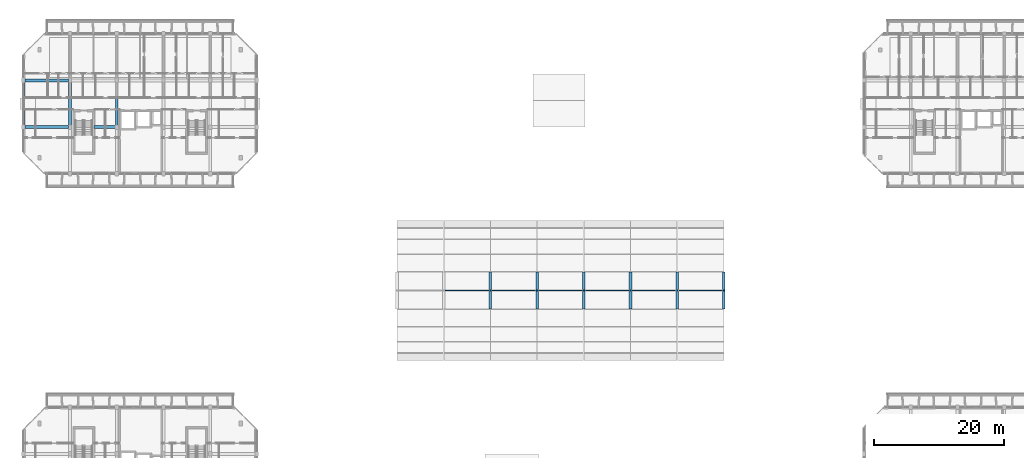
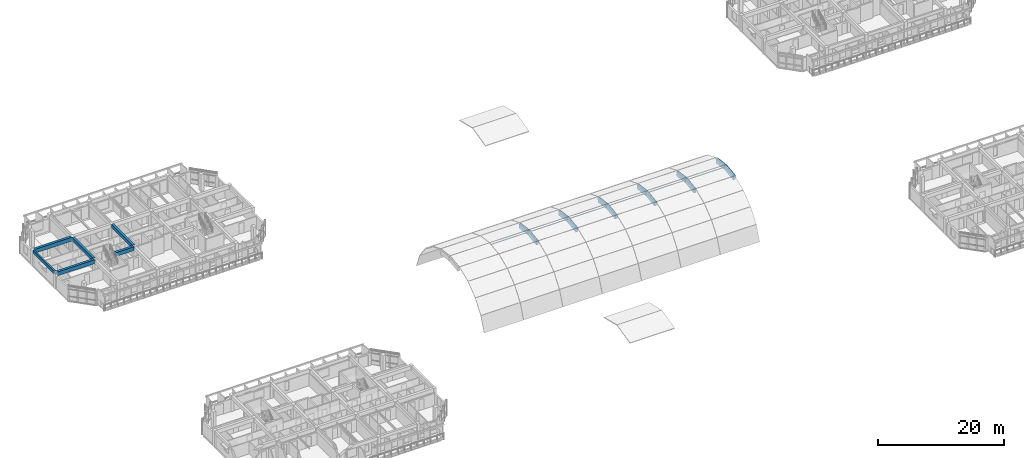
# One storey, part 6 of 51: 18 beams, 6 members.
"""IFC4 building model written with IfcOpenShell, lengths in metres."""

import ifcopenshell
import ifcopenshell.guid

model = None  # the IFC model being written
_history = None  # IfcOwnerHistory: only IFC2X3 demands one
_inside = {}  # id of a spatial element -> (the spatial element, [elements in it])
_under = {}  # id of a project, library or spatial element -> (it, [spatial elements below it])
_declared = {}  # id of a project -> (the project, [libraries it declares])
_typed = {}  # id of a type object -> (the type object, [elements of that type])
_made_of = {}  # id of a material, layer set ... -> (it, [elements and type objects made of it])


def new_model(schema):
    """Start an empty IFC model of exactly this schema.

    Asked for "IFC4X3", IfcOpenShell would pick the latest addendum, in which some entities
    have other attributes; the version numbers below select the first issue.
    IFC2X3 requires an IfcOwnerHistory on every rooted entity: one is made here for all.
    """
    global model, _history
    if schema == "IFC4X3":
        model = ifcopenshell.file(schema_version=(4, 3, 0, 0))
    else:
        model = ifcopenshell.file(schema=schema)
    _inside.clear()
    _under.clear()
    _declared.clear()
    _typed.clear()
    _made_of.clear()
    _history = None
    if model.schema == "IFC2X3":
        org = make("IfcOrganization", Name="unknown")
        user = make(
            "IfcPersonAndOrganization",
            ThePerson=make("IfcPerson", FamilyName="unknown"),
            TheOrganization=org,
        )
        app = make(
            "IfcApplication",
            ApplicationDeveloper=org,
            Version="unknown",
            ApplicationFullName="unknown",
            ApplicationIdentifier="unknown",
        )
        _history = make(
            "IfcOwnerHistory",
            OwningUser=user,
            OwningApplication=app,
            ChangeAction="ADDED",
            CreationDate=0,
        )
    return model


def make(cls, **values):
    """One entity of the class cls with the attributes given. An attribute that is None is left unset."""
    return model.create_entity(
        cls, **{name: value for name, value in values.items() if value is not None}
    )


def rooted(cls, **values):
    """An entity with a GlobalId (a new one), such as an element, a storey or a relation."""
    return make(cls, GlobalId=ifcopenshell.guid.new(), OwnerHistory=_history, **values)


def si_unit(unit_type, name, prefix=None):
    """IfcSIUnit, for example si_unit("LENGTHUNIT", "METRE", prefix="MILLI")."""
    return make("IfcSIUnit", UnitType=unit_type, Prefix=prefix, Name=name)


def assignment(units):
    """IfcUnitAssignment: the units of a project."""
    return None if units is None else make("IfcUnitAssignment", Units=units)


def point(xyz):
    """IfcCartesianPoint."""
    return None if xyz is None else make("IfcCartesianPoint", Coordinates=xyz)


def direction(xyz):
    """IfcDirection."""
    return None if xyz is None else make("IfcDirection", DirectionRatios=xyz)


def frame(location, z_axis=None, x_axis=None):
    """IfcAxis2Placement3D, a coordinate frame: its origin and axes. An axis left out is left unset."""
    return make(
        "IfcAxis2Placement3D",
        Location=point(location),
        Axis=direction(z_axis),
        RefDirection=direction(x_axis),
    )


def frame_2d(location, x_axis=None):
    """IfcAxis2Placement2D, a coordinate frame in the plane: its origin and x axis."""
    return make(
        "IfcAxis2Placement2D", Location=point(location), RefDirection=direction(x_axis)
    )


def origin():
    """The frame at (0, 0, 0) with its axes left unset."""
    return frame((0.0, 0.0, 0.0))


def origin_2d():
    """The frame at (0, 0) in the plane with its x axis left unset."""
    return frame_2d((0.0, 0.0))


def place(relative_to, where):
    """IfcLocalPlacement: puts the frame where relative to a parent placement (None: the world)."""
    return make(
        "IfcLocalPlacement", PlacementRelTo=relative_to, RelativePlacement=where
    )


def context(
    kind, dimensions, precision=None, world=None, true_north=None, identifier=None
):
    """IfcGeometricRepresentationContext, for example the 3D "Model" context."""
    return make(
        "IfcGeometricRepresentationContext",
        ContextIdentifier=identifier,
        ContextType=kind,
        CoordinateSpaceDimension=dimensions,
        Precision=precision,
        WorldCoordinateSystem=world,
        TrueNorth=true_north,
    )


def subcontext(parent, identifier, kind, view, scale=None):
    """IfcGeometricRepresentationSubContext, for example "Body" below "Model"."""
    return make(
        "IfcGeometricRepresentationSubContext",
        ContextIdentifier=identifier,
        ContextType=kind,
        ParentContext=parent,
        TargetScale=scale,
        TargetView=view,
    )


def project(units=None, contexts=None):
    """IfcProject with its units and contexts."""
    return rooted(
        "IfcProject",
        Name="project",
        RepresentationContexts=contexts,
        UnitsInContext=assignment(units),
    )


def spatial(cls, under=None, at=None, **own):
    """A site, building, storey or space (cls), placed at a placement, below another one or the project."""
    s = rooted(cls, ObjectPlacement=at, **own)
    if under is not None:
        _under.setdefault(under.id(), (under, []))[1].append(s)
    return s


def profile(cls, at=None, kind="AREA", **sizes):
    """A parametric profile (cls). Its sizes go by their IFC names, for example OverallWidth=200.0."""
    return make(cls, ProfileType=kind, Position=at, **sizes)


def rectangle(**sizes):
    """IfcRectangleProfileDef."""
    return profile("IfcRectangleProfileDef", **sizes)


def hollow_rectangle(**sizes):
    """IfcRectangleHollowProfileDef."""
    return profile("IfcRectangleHollowProfileDef", **sizes)


def extrude(swept, where, along, depth):
    """IfcExtrudedAreaSolid: the profile swept, set in the frame where, extruded along a direction by depth."""
    return make(
        "IfcExtrudedAreaSolid",
        SweptArea=swept,
        Position=where,
        ExtrudedDirection=direction(along),
        Depth=depth,
    )


def shape(context_of_items, identifier, shape_type, items):
    """IfcShapeRepresentation: the items that make up one representation, for example the "Body"."""
    return make(
        "IfcShapeRepresentation",
        ContextOfItems=context_of_items,
        RepresentationIdentifier=identifier,
        RepresentationType=shape_type,
        Items=items,
    )


def material(Name=None, Category=None):
    """IfcMaterial."""
    return make("IfcMaterial", Name=Name, Category=Category)


def material_profile(
    of_material, cross_section, Name=None, Category=None, Priority=None
):
    """IfcMaterialProfile: a cross section and its material."""
    return make(
        "IfcMaterialProfile",
        Name=Name,
        Material=of_material,
        Profile=cross_section,
        Priority=Priority,
        Category=Category,
    )


def profile_set(profiles, Name=None, composite=None):
    """IfcMaterialProfileSet."""
    return make(
        "IfcMaterialProfileSet",
        Name=Name,
        MaterialProfiles=profiles,
        CompositeProfile=composite,
    )


def made_of(thing, what):
    """Note that an element or type object is made of a material, layer set ...; save() writes the relation."""
    if what is not None:
        _made_of.setdefault(what.id(), (what, []))[1].append(thing)
    return thing


def type_object(cls, material=None, **own):
    """A type object (cls), such as IfcWallType, which elements share."""
    return made_of(rooted(cls, **own), material)


def element(
    cls,
    number,
    at=None,
    inside=None,
    cuts=None,
    type_object=None,
    material=None,
    context=None,
    identifier="Body",
    shape_type=None,
    held_by="IfcProductDefinitionShape",
    body=None,
    shapes=None,
    **own,
):
    """One element of the class cls, such as IfcWall. Its Tag is "e" and its number.

    at: its placement. inside: the storey or other place that contains it. cuts: it is an
    opening in that element (IfcRelVoidsElement). A single representation is given by context,
    identifier, shape_type and body (its items); several are given by shapes. held_by: the class
    of the entity that holds the representations. save() writes the other relations.
    """
    e = rooted(cls, Tag="e%d" % number, ObjectPlacement=at, **own)
    if body is not None:
        shapes = [shape(context, identifier, shape_type, body)]
    if shapes is not None:
        e.Representation = make(held_by, Representations=shapes)
    if inside is not None:
        _inside.setdefault(inside.id(), (inside, []))[1].append(e)
    if cuts is not None:
        rooted(
            "IfcRelVoidsElement", RelatingBuildingElement=cuts, RelatedOpeningElement=e
        )
    if type_object is not None:
        _typed.setdefault(type_object.id(), (type_object, []))[1].append(e)
    return made_of(e, material)


def aggregate(whole, parts):
    """IfcRelAggregates: a whole, such as a stair, and the parts it consists of."""
    return rooted("IfcRelAggregates", RelatingObject=whole, RelatedObjects=parts)


def save(model, path):
    """Write the relations noted so far, then the file.

    IfcRelAggregates (storeys below a building ...), IfcRelContainedInSpatialStructure (elements
    in a storey), IfcRelDefinesByType, IfcRelAssociatesMaterial and IfcRelDeclares: one each for
    every whole, place, type object, material and project.
    """
    for whole, parts in _under.values():
        aggregate(whole, parts)
    for where, things in _inside.values():
        rooted(
            "IfcRelContainedInSpatialStructure",
            RelatedElements=things,
            RelatingStructure=where,
        )
    for kind, things in _typed.values():
        rooted("IfcRelDefinesByType", RelatedObjects=things, RelatingType=kind)
    for what, things in _made_of.values():
        rooted("IfcRelAssociatesMaterial", RelatedObjects=things, RelatingMaterial=what)
    for by, libraries in _declared.values():
        rooted("IfcRelDeclares", RelatingContext=by, RelatedDefinitions=libraries)
    model.write(path)


model = new_model("IFC4")

# Units and contexts
model_context = context("Model", 3, precision=1e-05, world=origin(), true_north=direction((0.0, 1.0)))
body_context = subcontext(model_context, "Body", "Model", "MODEL_VIEW")
ifc_project = project(units=[si_unit("LENGTHUNIT", "METRE"), si_unit("AREAUNIT", "SQUARE_METRE"), si_unit("VOLUMEUNIT", "CUBIC_METRE"), si_unit("PLANEANGLEUNIT", "RADIAN"), si_unit("MASSUNIT", "GRAM", prefix="KILO")], contexts=[model_context])

# Site, building, storey
site_placement = place(None, origin())
site = spatial("IfcSite", under=ifc_project, at=site_placement, CompositionType="ELEMENT")
building_placement = place(site_placement, origin())
building = spatial("IfcBuilding", under=site, at=building_placement, Name="Ochrevale Crest", CompositionType="ELEMENT")
storey_placement = place(building_placement, frame((0.0, 0.0, 11.85009765625)))
storey = spatial("IfcBuildingStorey", under=building, at=storey_placement, Name="L03", CompositionType="ELEMENT", Elevation=11.85009765625)

# Beams
ifc_material_1 = material(Name="Precast concrete C50/60", Category="concrete")
ifc_material_profile_1 = material_profile(ifc_material_1, rectangle(XDim=0.39990234375, YDim=0.85009765625, at=origin_2d()), Name="PC 400x850")
ifc_profile_set_1 = profile_set([ifc_material_profile_1], Name="Precast concrete C50/60")
beam_type_1 = type_object("IfcBeamType", Name="BM-AR400x850", PredefinedType="BEAM", material=ifc_profile_set_1)
for number, where, z_axis, x_axis, name in (
    (1, (72.0, 51.222412109375, 0.465576171875), (0.0, 0.991272739932, 0.131826989146), (-1.0, 0.0, 0.0), "Precast vault arch rib AR-03 chord 5"),
    (2, (72.0, 54.0, 0.8349609375), (0.0, 0.991272739932, -0.131826989146), (-1.0, 0.0, 0.0), "Precast vault arch rib AR-03 chord 6"),
    (3, (79.199951171875, 51.222412109375, 0.465576171875), (0.0, 0.991272739932, 0.131826989146), (-1.0, 0.0, 0.0), "Precast vault arch rib AR-04 chord 5"),
    (4, (79.199951171875, 54.0, 0.8349609375), (0.0, 0.991272739932, -0.131826989146), (-1.0, 0.0, 0.0), "Precast vault arch rib AR-04 chord 6"),
    (5, (86.39990234375, 51.222412109375, 0.465576171875), (0.0, 0.991272739932, 0.131826989146), (-1.0, 0.0, 0.0), "Precast vault arch rib AR-05 chord 5"),
    (6, (86.39990234375, 54.0, 0.8349609375), (0.0, 0.991272739932, -0.131826989146), (-1.0, 0.0, 0.0), "Precast vault arch rib AR-05 chord 6"),
    (7, (93.60009765625, 51.222412109375, 0.465576171875), (0.0, 0.991272739932, 0.131826989146), (-1.0, 0.0, 0.0), "Precast vault arch rib AR-06 chord 5"),
    (8, (93.60009765625, 54.0, 0.8349609375), (0.0, 0.991272739932, -0.131826989146), (-1.0, 0.0, 0.0), "Precast vault arch rib AR-06 chord 6"),
    (9, (100.800048828125, 51.222412109375, 0.465576171875), (0.0, 0.991272739932, 0.131826989146), (-1.0, 0.0, 0.0), "Precast vault arch rib AR-07 chord 5"),
    (10, (100.800048828125, 54.0, 0.8349609375), (0.0, 0.991272739932, -0.131826989146), (-1.0, 0.0, 0.0), "Precast vault arch rib AR-07 chord 6"),
    (11, (108.0, 51.222412109375, 0.465576171875), (0.0, 0.991272739932, 0.131826989146), (-1.0, 0.0, 0.0), "Precast vault arch rib AR-08 chord 5"),
    (12, (108.0, 54.0, 0.8349609375), (0.0, 0.991272739932, -0.131826989146), (-1.0, 0.0, 0.0), "Precast vault arch rib AR-08 chord 6"),
):
    element("IfcBeam", number, at=place(storey_placement, frame(where, z_axis=z_axis, x_axis=x_axis)), inside=storey, type_object=beam_type_1, Name=name, PredefinedType="BEAM", context=body_context, shape_type="SweptSolid", body=[
        extrude(rectangle(XDim=0.39990234375, YDim=0.85009765625, at=origin_2d()), origin(), (0.0, 0.0, 1.0), 2.802001953125),
    ])
ifc_material_profile_2 = material_profile(ifc_material_1, rectangle(XDim=0.39990234375, YDim=0.699951171875, at=origin_2d()), Name="PC 400x700")
ifc_profile_set_2 = profile_set([ifc_material_profile_2], Name="Precast concrete C50/60")
beam_type_2 = type_object("IfcBeamType", Name="BM-PC400x700", PredefinedType="BEAM", material=ifc_profile_set_2)
for number, where, z_axis, x_axis, name in (
    (13, (7.199951171875, 79.429931640625, 2.7998046875), (0.0, 1.0, 0.0), (-1.0, 0.0, 0.0), "Block B L03 N-S beam X=7.2"),
    (14, (14.39990234375, 79.429931640625, 2.7998046875), (0.0, 1.0, 0.0), (-1.0, 0.0, 0.0), "Block B L03 N-S beam X=14.4"),
):
    element("IfcBeam", number, at=place(storey_placement, frame(where, z_axis=z_axis, x_axis=x_axis)), inside=storey, type_object=beam_type_2, Name=name, PredefinedType="BEAM", context=body_context, shape_type="SweptSolid", body=[
        extrude(rectangle(XDim=0.39990234375, YDim=0.699951171875, at=origin_2d()), origin(), (0.0, 0.0, 1.0), 6.739990234375),
    ])
ifc_material_2 = material(Name="Concrete C50/60", Category="concrete")
ifc_material_profile_3 = material_profile(ifc_material_2, rectangle(XDim=0.449951171875, YDim=0.75, at=origin_2d()), Name="RC 450x750")
ifc_profile_set_3 = profile_set([ifc_material_profile_3], Name="Concrete C50/60")
beam_type_3 = type_object("IfcBeamType", Name="BM-PG450x750", PredefinedType="USERDEFINED", material=ifc_profile_set_3)
beam_1_placement = place(storey_placement, frame((0.22509765625, 79.199951171875, 2.77490234375), z_axis=(1.0, 0.0, 0.0), x_axis=(0.0, 1.0, 0.0)))
element("IfcBeam", 15, at=beam_1_placement, inside=storey, type_object=beam_type_3, Name="Block B L03 E-W beam Y=79.2", ObjectType="GIRDER", PredefinedType="USERDEFINED", context=body_context, shape_type="SweptSolid", body=[
    extrude(rectangle(XDim=0.449951171875, YDim=0.75, at=origin_2d()), origin(), (0.0, 0.0, 1.0), 6.75),
])
beam_2_placement = place(storey_placement, frame((10.889892578125, 79.199951171875, 2.77490234375), z_axis=(1.0, 0.0, 0.0), x_axis=(0.0, 1.0, 0.0)))
element("IfcBeam", 16, at=beam_2_placement, inside=storey, type_object=beam_type_3, Name="Block B L03 E-W beam Y=79.2", ObjectType="GIRDER", PredefinedType="USERDEFINED", context=body_context, shape_type="SweptSolid", body=[
    extrude(rectangle(XDim=0.449951171875, YDim=0.75, at=origin_2d()), origin(), (0.0, 0.0, 1.0), 3.28515625),
])
beam_3_placement = place(storey_placement, frame((0.22509765625, 86.39990234375, 2.77490234375), z_axis=(1.0, 0.0, 0.0), x_axis=(0.0, 1.0, 0.0)))
element("IfcBeam", 17, at=beam_3_placement, inside=storey, type_object=beam_type_3, Name="Block B L03 E-W beam Y=86.4", ObjectType="GIRDER", PredefinedType="USERDEFINED", context=body_context, shape_type="SweptSolid", body=[
    extrude(rectangle(XDim=0.449951171875, YDim=0.75, at=origin_2d()), origin(), (0.0, 0.0, 1.0), 6.75),
])
ifc_material_3 = material(Name="Precast concrete C40/50", Category="concrete")
ifc_material_profile_4 = material_profile(ifc_material_3, rectangle(XDim=0.300048828125, YDim=0.60009765625, at=origin_2d()), Name="PC 300x600")
ifc_profile_set_4 = profile_set([ifc_material_profile_4], Name="Precast concrete C40/50")
beam_type_4 = type_object("IfcBeamType", Name="BM-SP300x600", PredefinedType="SPANDREL", material=ifc_profile_set_4)
beam_4_placement = place(storey_placement, frame((0.0, 79.429931640625, 2.849853515625), z_axis=(0.0, 1.0, 0.0), x_axis=(-1.0, 0.0, 0.0)))
element("IfcBeam", 18, at=beam_4_placement, inside=storey, type_object=beam_type_4, Name="Block B L03 N-S beam X=0.0", PredefinedType="SPANDREL", context=body_context, shape_type="SweptSolid", body=[
    extrude(rectangle(XDim=0.300048828125, YDim=0.60009765625, at=origin_2d()), origin(), (0.0, 0.0, 1.0), 6.739990234375),
])

# Members
ifc_material_4 = material(Name="Steel S355", Category="steel")
ifc_material_profile_5 = material_profile(ifc_material_4, hollow_rectangle(XDim=0.10009765625, YDim=0.14990234375, WallThickness=0.0048828125, InnerFilletRadius=0.0048828125, OuterFilletRadius=0.010009765625, at=origin_2d()), Name="150x100x5.0RHS")
ifc_profile_set_5 = profile_set([ifc_material_profile_5], Name="Steel S355")
member_type = type_object("IfcMemberType", Name="MEM-RHS150-PR", PredefinedType="PURLIN", material=ifc_profile_set_5)
for number, where, z_axis, x_axis, name in (
    (19, (65.0, 54.0, 0.914794921875), (1.0, 0.0, 0.0), (0.0, 1.0, 0.0), "Vault longitudinal steel purlin B2-5"),
    (20, (72.199951171875, 54.0, 0.914794921875), (1.0, 0.0, 0.0), (0.0, 1.0, 0.0), "Vault longitudinal steel purlin B3-5"),
    (21, (79.39990234375, 54.0, 0.914794921875), (1.0, 0.0, 0.0), (0.0, 1.0, 0.0), "Vault longitudinal steel purlin B4-5"),
):
    element("IfcMember", number, at=place(storey_placement, frame(where, z_axis=z_axis, x_axis=x_axis)), inside=storey, type_object=member_type, Name=name, PredefinedType="PURLIN", context=body_context, shape_type="SweptSolid", body=[
        extrude(hollow_rectangle(XDim=0.10009765625, YDim=0.14990234375, WallThickness=0.0048828125, InnerFilletRadius=0.0048828125, OuterFilletRadius=0.010009765625, at=origin_2d()), origin(), (0.0, 0.0, 1.0), 6.800048828125),
    ])
member_placement = place(storey_placement, frame((86.60009765625, 54.0, 0.914794921875), z_axis=(1.0, 0.0, 0.0), x_axis=(0.0, 1.0, 0.0)))
element("IfcMember", 22, at=member_placement, inside=storey, type_object=member_type, Name="Vault longitudinal steel purlin B5-5", PredefinedType="PURLIN", context=body_context, shape_type="SweptSolid", body=[
    extrude(hollow_rectangle(XDim=0.10009765625, YDim=0.14990234375, WallThickness=0.0048828125, InnerFilletRadius=0.0048828125, OuterFilletRadius=0.010009765625, at=origin_2d()), origin(), (0.0, 0.0, 1.0), 6.7998046875),
])
for number, where, z_axis, x_axis, name in (
    (23, (93.800048828125, 54.0, 0.914794921875), (1.0, 0.0, 0.0), (0.0, 1.0, 0.0), "Vault longitudinal steel purlin B6-5"),
    (24, (101.0, 54.0, 0.914794921875), (1.0, 0.0, 0.0), (0.0, 1.0, 0.0), "Vault longitudinal steel purlin B7-5"),
):
    element("IfcMember", number, at=place(storey_placement, frame(where, z_axis=z_axis, x_axis=x_axis)), inside=storey, type_object=member_type, Name=name, PredefinedType="PURLIN", context=body_context, shape_type="SweptSolid", body=[
        extrude(hollow_rectangle(XDim=0.10009765625, YDim=0.14990234375, WallThickness=0.0048828125, InnerFilletRadius=0.0048828125, OuterFilletRadius=0.010009765625, at=origin_2d()), origin(), (0.0, 0.0, 1.0), 6.800048828125),
    ])

save(model, "model.ifc")
